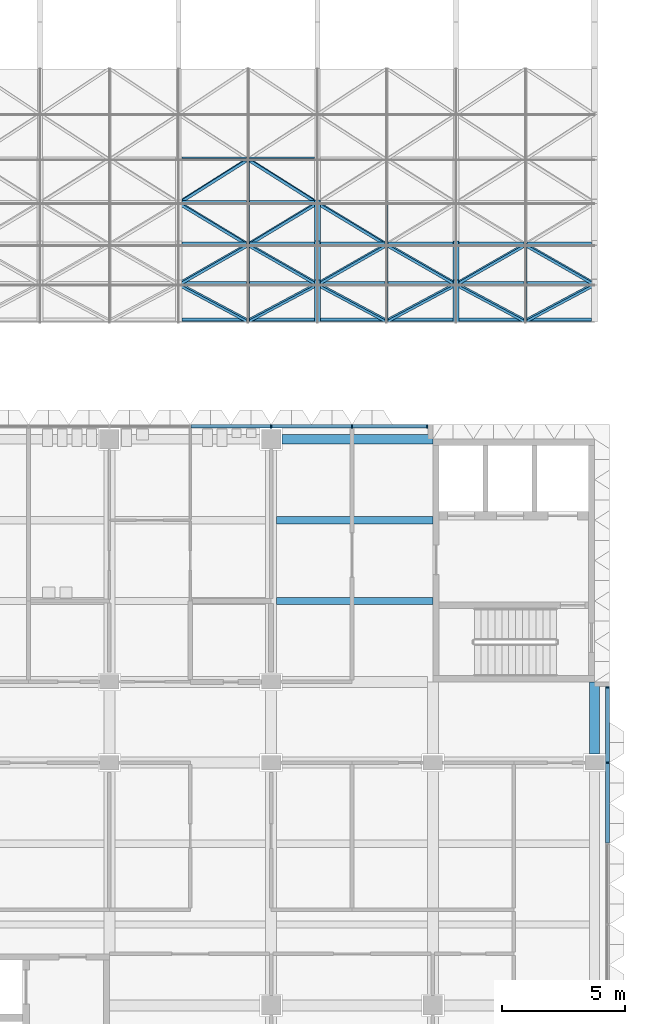
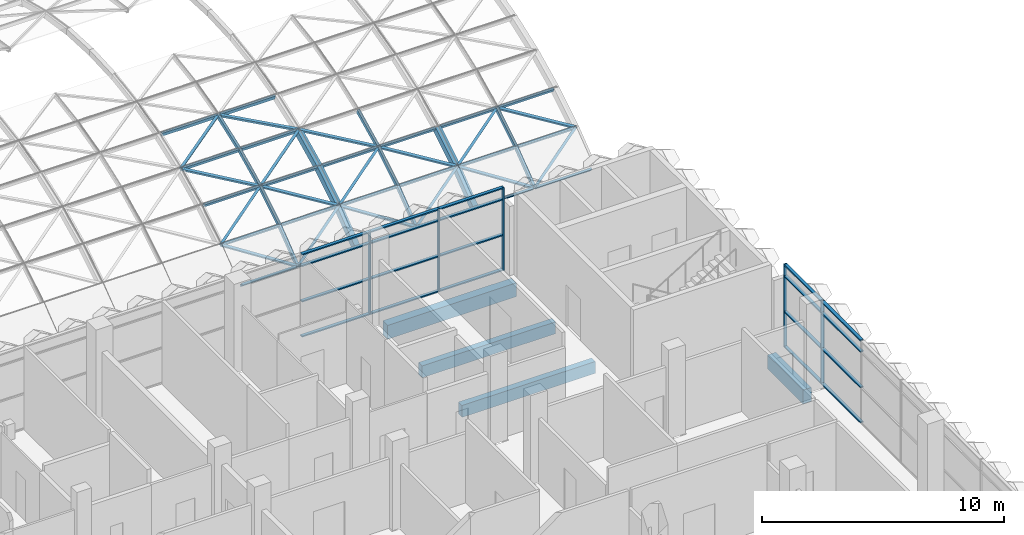
# One storey, part 15 of 85: 78 members, 4 beams, 2 elements without a shape of their own.
"""IFC4 building model written with IfcOpenShell, lengths in metres."""

import ifcopenshell
import ifcopenshell.guid

model = None  # the IFC model being written
_history = None  # IfcOwnerHistory: only IFC2X3 demands one
_inside = {}  # id of a spatial element -> (the spatial element, [elements in it])
_under = {}  # id of a project, library or spatial element -> (it, [spatial elements below it])
_declared = {}  # id of a project -> (the project, [libraries it declares])
_typed = {}  # id of a type object -> (the type object, [elements of that type])
_made_of = {}  # id of a material, layer set ... -> (it, [elements and type objects made of it])


def new_model(schema):
    """Start an empty IFC model of exactly this schema.

    Asked for "IFC4X3", IfcOpenShell would pick the latest addendum, in which some entities
    have other attributes; the version numbers below select the first issue.
    IFC2X3 requires an IfcOwnerHistory on every rooted entity: one is made here for all.
    """
    global model, _history
    if schema == "IFC4X3":
        model = ifcopenshell.file(schema_version=(4, 3, 0, 0))
    else:
        model = ifcopenshell.file(schema=schema)
    _inside.clear()
    _under.clear()
    _declared.clear()
    _typed.clear()
    _made_of.clear()
    _history = None
    if model.schema == "IFC2X3":
        org = make("IfcOrganization", Name="unknown")
        user = make(
            "IfcPersonAndOrganization",
            ThePerson=make("IfcPerson", FamilyName="unknown"),
            TheOrganization=org,
        )
        app = make(
            "IfcApplication",
            ApplicationDeveloper=org,
            Version="unknown",
            ApplicationFullName="unknown",
            ApplicationIdentifier="unknown",
        )
        _history = make(
            "IfcOwnerHistory",
            OwningUser=user,
            OwningApplication=app,
            ChangeAction="ADDED",
            CreationDate=0,
        )
    return model


def make(cls, **values):
    """One entity of the class cls with the attributes given. An attribute that is None is left unset."""
    return model.create_entity(
        cls, **{name: value for name, value in values.items() if value is not None}
    )


def rooted(cls, **values):
    """An entity with a GlobalId (a new one), such as an element, a storey or a relation."""
    return make(cls, GlobalId=ifcopenshell.guid.new(), OwnerHistory=_history, **values)


def si_unit(unit_type, name, prefix=None):
    """IfcSIUnit, for example si_unit("LENGTHUNIT", "METRE", prefix="MILLI")."""
    return make("IfcSIUnit", UnitType=unit_type, Prefix=prefix, Name=name)


def assignment(units):
    """IfcUnitAssignment: the units of a project."""
    return None if units is None else make("IfcUnitAssignment", Units=units)


def point(xyz):
    """IfcCartesianPoint."""
    return None if xyz is None else make("IfcCartesianPoint", Coordinates=xyz)


def direction(xyz):
    """IfcDirection."""
    return None if xyz is None else make("IfcDirection", DirectionRatios=xyz)


def frame(location, z_axis=None, x_axis=None):
    """IfcAxis2Placement3D, a coordinate frame: its origin and axes. An axis left out is left unset."""
    return make(
        "IfcAxis2Placement3D",
        Location=point(location),
        Axis=direction(z_axis),
        RefDirection=direction(x_axis),
    )


def frame_2d(location, x_axis=None):
    """IfcAxis2Placement2D, a coordinate frame in the plane: its origin and x axis."""
    return make(
        "IfcAxis2Placement2D", Location=point(location), RefDirection=direction(x_axis)
    )


def origin():
    """The frame at (0, 0, 0) with its axes left unset."""
    return frame((0.0, 0.0, 0.0))


def origin_2d():
    """The frame at (0, 0) in the plane with its x axis left unset."""
    return frame_2d((0.0, 0.0))


def place(relative_to, where):
    """IfcLocalPlacement: puts the frame where relative to a parent placement (None: the world)."""
    return make(
        "IfcLocalPlacement", PlacementRelTo=relative_to, RelativePlacement=where
    )


def context(
    kind, dimensions, precision=None, world=None, true_north=None, identifier=None
):
    """IfcGeometricRepresentationContext, for example the 3D "Model" context."""
    return make(
        "IfcGeometricRepresentationContext",
        ContextIdentifier=identifier,
        ContextType=kind,
        CoordinateSpaceDimension=dimensions,
        Precision=precision,
        WorldCoordinateSystem=world,
        TrueNorth=true_north,
    )


def subcontext(parent, identifier, kind, view, scale=None):
    """IfcGeometricRepresentationSubContext, for example "Body" below "Model"."""
    return make(
        "IfcGeometricRepresentationSubContext",
        ContextIdentifier=identifier,
        ContextType=kind,
        ParentContext=parent,
        TargetScale=scale,
        TargetView=view,
    )


def project(units=None, contexts=None):
    """IfcProject with its units and contexts."""
    return rooted(
        "IfcProject",
        Name="project",
        RepresentationContexts=contexts,
        UnitsInContext=assignment(units),
    )


def spatial(cls, under=None, at=None, **own):
    """A site, building, storey or space (cls), placed at a placement, below another one or the project."""
    s = rooted(cls, ObjectPlacement=at, **own)
    if under is not None:
        _under.setdefault(under.id(), (under, []))[1].append(s)
    return s


def profile(cls, at=None, kind="AREA", **sizes):
    """A parametric profile (cls). Its sizes go by their IFC names, for example OverallWidth=200.0."""
    return make(cls, ProfileType=kind, Position=at, **sizes)


def rectangle(**sizes):
    """IfcRectangleProfileDef."""
    return profile("IfcRectangleProfileDef", **sizes)


def hollow_rectangle(**sizes):
    """IfcRectangleHollowProfileDef."""
    return profile("IfcRectangleHollowProfileDef", **sizes)


def extrude(swept, where, along, depth):
    """IfcExtrudedAreaSolid: the profile swept, set in the frame where, extruded along a direction by depth."""
    return make(
        "IfcExtrudedAreaSolid",
        SweptArea=swept,
        Position=where,
        ExtrudedDirection=direction(along),
        Depth=depth,
    )


def shape(context_of_items, identifier, shape_type, items):
    """IfcShapeRepresentation: the items that make up one representation, for example the "Body"."""
    return make(
        "IfcShapeRepresentation",
        ContextOfItems=context_of_items,
        RepresentationIdentifier=identifier,
        RepresentationType=shape_type,
        Items=items,
    )


def material(Name=None, Category=None):
    """IfcMaterial."""
    return make("IfcMaterial", Name=Name, Category=Category)


def material_profile(
    of_material, cross_section, Name=None, Category=None, Priority=None
):
    """IfcMaterialProfile: a cross section and its material."""
    return make(
        "IfcMaterialProfile",
        Name=Name,
        Material=of_material,
        Profile=cross_section,
        Priority=Priority,
        Category=Category,
    )


def profile_set(profiles, Name=None, composite=None):
    """IfcMaterialProfileSet."""
    return make(
        "IfcMaterialProfileSet",
        Name=Name,
        MaterialProfiles=profiles,
        CompositeProfile=composite,
    )


def made_of(thing, what):
    """Note that an element or type object is made of a material, layer set ...; save() writes the relation."""
    if what is not None:
        _made_of.setdefault(what.id(), (what, []))[1].append(thing)
    return thing


def type_object(cls, material=None, **own):
    """A type object (cls), such as IfcWallType, which elements share."""
    return made_of(rooted(cls, **own), material)


def element(
    cls,
    number,
    at=None,
    inside=None,
    cuts=None,
    type_object=None,
    material=None,
    context=None,
    identifier="Body",
    shape_type=None,
    held_by="IfcProductDefinitionShape",
    body=None,
    shapes=None,
    **own,
):
    """One element of the class cls, such as IfcWall. Its Tag is "e" and its number.

    at: its placement. inside: the storey or other place that contains it. cuts: it is an
    opening in that element (IfcRelVoidsElement). A single representation is given by context,
    identifier, shape_type and body (its items); several are given by shapes. held_by: the class
    of the entity that holds the representations. save() writes the other relations.
    """
    e = rooted(cls, Tag="e%d" % number, ObjectPlacement=at, **own)
    if body is not None:
        shapes = [shape(context, identifier, shape_type, body)]
    if shapes is not None:
        e.Representation = make(held_by, Representations=shapes)
    if inside is not None:
        _inside.setdefault(inside.id(), (inside, []))[1].append(e)
    if cuts is not None:
        rooted(
            "IfcRelVoidsElement", RelatingBuildingElement=cuts, RelatedOpeningElement=e
        )
    if type_object is not None:
        _typed.setdefault(type_object.id(), (type_object, []))[1].append(e)
    return made_of(e, material)


def aggregate(whole, parts):
    """IfcRelAggregates: a whole, such as a stair, and the parts it consists of."""
    return rooted("IfcRelAggregates", RelatingObject=whole, RelatedObjects=parts)


def save(model, path):
    """Write the relations noted so far, then the file.

    IfcRelAggregates (storeys below a building ...), IfcRelContainedInSpatialStructure (elements
    in a storey), IfcRelDefinesByType, IfcRelAssociatesMaterial and IfcRelDeclares: one each for
    every whole, place, type object, material and project.
    """
    for whole, parts in _under.values():
        aggregate(whole, parts)
    for where, things in _inside.values():
        rooted(
            "IfcRelContainedInSpatialStructure",
            RelatedElements=things,
            RelatingStructure=where,
        )
    for kind, things in _typed.values():
        rooted("IfcRelDefinesByType", RelatedObjects=things, RelatingType=kind)
    for what, things in _made_of.values():
        rooted("IfcRelAssociatesMaterial", RelatedObjects=things, RelatingMaterial=what)
    for by, libraries in _declared.values():
        rooted("IfcRelDeclares", RelatingContext=by, RelatedDefinitions=libraries)
    model.write(path)


model = new_model("IFC4")

# Units and contexts
model_context = context("Model", 3, precision=1e-05, world=origin(), true_north=direction((0.0, 1.0)))
body_context = subcontext(model_context, "Body", "Model", "MODEL_VIEW")
ifc_project = project(units=[si_unit("LENGTHUNIT", "METRE"), si_unit("AREAUNIT", "SQUARE_METRE"), si_unit("VOLUMEUNIT", "CUBIC_METRE"), si_unit("PLANEANGLEUNIT", "RADIAN"), si_unit("MASSUNIT", "GRAM", prefix="KILO")], contexts=[model_context])

# Site, building, storey
site_placement = place(None, origin())
site = spatial("IfcSite", under=ifc_project, at=site_placement, CompositionType="ELEMENT")
building_placement = place(site_placement, origin())
building = spatial("IfcBuilding", under=site, at=building_placement, Name="Lantern Court Research Institute", CompositionType="ELEMENT")
storey_placement = place(building_placement, frame((0.0, 0.0, 18.89990234375)))
storey = spatial("IfcBuildingStorey", under=building, at=storey_placement, Name="L04", CompositionType="ELEMENT", Elevation=18.89990234375)

# Members
ifc_material_1 = material(Name="Structural steel S355", Category="steel")
ifc_material_profile_1 = material_profile(ifc_material_1, hollow_rectangle(XDim=0.1201171875, YDim=0.1201171875, WallThickness=0.008056640625, at=origin_2d()), Name="Gridshell haunch diagonal RHS 120 x 120 x 8")
ifc_profile_set_1 = profile_set([ifc_material_profile_1], Name="Structural steel S355")
member_type_1 = type_object("IfcMemberType", Name="Gridshell haunch diagonal RHS 120 x 120 x 8", PredefinedType="BRACE", material=ifc_profile_set_1)
for number, where, z_axis, x_axis, name in (
    (1, (65.05712890625, 27.9150390625, 0.148193359375), (-0.82977993963, 0.442749834869, 0.339761439117), (-0.558090719968, -0.658279580966, -0.505175951099), "Gridshell diagonal"),
    (2, (62.228515625, 29.419189453125, 1.302978515625), (0.82977711353, 0.474690377048, 0.293494442538), (-0.558094919699, 0.705724175305, 0.436444096072), "Gridshell diagonal"),
    (3, (65.05712890625, 31.031982421875, 2.300537109375), (-0.829773300042, 0.501760032806, 0.244362722229), (-0.558100591295, -0.746025342522, -0.363276641571), "Gridshell diagonal"),
    (4, (62.228515625, 32.73681640625, 3.131103515625), (0.829762838758, 0.523811962945, 0.192651651671), (-0.558116144955, 0.778754373318, 0.286440211525), "Gridshell diagonal"),
    (5, (65.05712890625, 27.9150390625, 0.148193359375), (0.82977993963, 0.442749834869, 0.339761439117), (-0.558090719968, 0.658279580966, 0.505175951099), "Gridshell diagonal"),
    (6, (67.8857421875, 29.419189453125, 1.302978515625), (-0.82977711353, 0.474690377048, 0.293494442538), (-0.558094919699, -0.705724175305, -0.436444096072), "Gridshell diagonal"),
    (7, (65.05712890625, 31.031982421875, 2.300537109375), (0.829773300042, 0.501760032806, 0.244362722229), (-0.558100591295, 0.746025342522, 0.363276641571), "Gridshell diagonal"),
    (8, (67.8857421875, 32.73681640625, 3.131103515625), (-0.829762838758, 0.523811962945, 0.192651651671), (-0.558116144955, -0.778754373318, -0.286440211525), "Gridshell diagonal"),
    (9, (70.71435546875, 27.9150390625, 0.148193359375), (-0.82977993963, 0.442749834869, 0.339761439117), (-0.558090719968, -0.658279580966, -0.505175951099), "Gridshell diagonal"),
    (10, (67.8857421875, 29.419189453125, 1.302978515625), (0.82977711353, 0.474690377048, 0.293494442538), (-0.558094919699, 0.705724175305, 0.436444096072), "Gridshell diagonal"),
    (11, (70.71435546875, 31.031982421875, 2.300537109375), (-0.829773300042, 0.501760032806, 0.244362722229), (-0.558100591295, -0.746025342522, -0.363276641571), "Gridshell diagonal"),
    (12, (70.71435546875, 27.9150390625, 0.148193359375), (0.82977993963, 0.442749834869, 0.339761439117), (-0.558090719968, 0.658279580966, 0.505175951099), "Gridshell diagonal"),
    (13, (73.54296875, 29.419189453125, 1.302978515625), (-0.82977711353, 0.474690377048, 0.293494442538), (-0.558094919699, -0.705724175305, -0.436444096072), "Gridshell diagonal"),
):
    element("IfcMember", number, at=place(storey_placement, frame(where, z_axis=z_axis, x_axis=x_axis)), inside=storey, type_object=member_type_1, Name=name, PredefinedType="BRACE", context=body_context, shape_type="SweptSolid", body=[
        extrude(hollow_rectangle(XDim=0.1201171875, YDim=0.1201171875, WallThickness=0.008056640625, at=origin_2d()), origin(), (0.0, 0.0, 1.0), 3.408935546875),
    ])
for number, where, z_axis, x_axis, name in (
    (14, (76.371337890625, 27.9150390625, 0.148193359375), (-0.829757630752, 0.442776147891, 0.339781631445), (-0.558123887656, -0.658254466927, -0.505172032874), "Gridshell diagonal"),
    (15, (73.54296875, 29.419189453125, 1.302978515625), (0.829754804392, 0.474718588132, 0.293511885058), (-0.55812808698, 0.705699457062, 0.436441651113), "Gridshell diagonal"),
):
    element("IfcMember", number, at=place(storey_placement, frame(where, z_axis=z_axis, x_axis=x_axis)), inside=storey, type_object=member_type_1, Name=name, PredefinedType="BRACE", context=body_context, shape_type="SweptSolid", body=[
        extrude(hollow_rectangle(XDim=0.1201171875, YDim=0.1201171875, WallThickness=0.008056640625, at=origin_2d()), origin(), (0.0, 0.0, 1.0), 3.40869140625),
    ])
for number, where, z_axis, x_axis, name in (
    (16, (76.371337890625, 27.9150390625, 0.148193359375), (0.82977993963, 0.442749834869, 0.339761439117), (-0.558090719968, 0.658279580966, 0.505175951099), "Gridshell diagonal"),
    (17, (79.199951171875, 29.419189453125, 1.302978515625), (-0.82977711353, 0.474690377048, 0.293494442538), (-0.558094919699, -0.705724175305, -0.436444096072), "Gridshell diagonal"),
):
    element("IfcMember", number, at=place(storey_placement, frame(where, z_axis=z_axis, x_axis=x_axis)), inside=storey, type_object=member_type_1, Name=name, PredefinedType="BRACE", context=body_context, shape_type="SweptSolid", body=[
        extrude(hollow_rectangle(XDim=0.1201171875, YDim=0.1201171875, WallThickness=0.008056640625, at=origin_2d()), origin(), (0.0, 0.0, 1.0), 3.408935546875),
    ])
ifc_material_2 = material(Name="Structural steel S355", Category="steel")
ifc_material_profile_2 = material_profile(ifc_material_2, hollow_rectangle(XDim=0.25, YDim=0.35009765625, WallThickness=0.01611328125, at=origin_2d()), Name="Gridshell haunch rib RHS 350 x 250 x 16")
ifc_profile_set_2 = profile_set([ifc_material_profile_2], Name="Structural steel S355")
member_type_2 = type_object("IfcMemberType", Name="Gridshell haunch rib RHS 350 x 250 x 16", PredefinedType="RAFTER", material=ifc_profile_set_2)
member_1_placement = place(storey_placement, frame((67.8857421875, 27.985107421875, 0.056884765625), z_axis=(0.0, 0.793329505358, 0.608792490039), x_axis=(-1.0, 0.0, 0.0)))
element("IfcMember", 18, at=member_1_placement, inside=storey, type_object=member_type_2, Name="Gridshell rib", PredefinedType="RAFTER", context=body_context, shape_type="SweptSolid", body=[
    extrude(hollow_rectangle(XDim=0.25, YDim=0.35009765625, WallThickness=0.01611328125, at=origin_2d()), origin(), (0.0, 0.0, 1.0), 1.90234375),
])
member_2_placement = place(storey_placement, frame((67.8857421875, 29.479736328125, 1.205078125), z_axis=(0.0, 0.850497510265, 0.525979072809), x_axis=(-1.0, 0.0, 0.0)))
element("IfcMember", 19, at=member_2_placement, inside=storey, type_object=member_type_2, Name="Gridshell rib", PredefinedType="RAFTER", context=body_context, shape_type="SweptSolid", body=[
    extrude(hollow_rectangle(XDim=0.25, YDim=0.35009765625, WallThickness=0.01611328125, at=origin_2d()), origin(), (0.0, 0.0, 1.0), 1.902587890625),
])
for number, where, z_axis, x_axis, name in (
    (20, (67.8857421875, 31.082275390625, 2.197265625), (0.0, 0.899099966644, 0.437743360865), (-1.0, 0.0, 0.0), "Gridshell rib"),
    (21, (73.54296875, 27.985107421875, 0.056884765625), (0.0, 0.793329505358, 0.608792490039), (-1.0, 0.0, 0.0), "Gridshell rib"),
):
    element("IfcMember", number, at=place(storey_placement, frame(where, z_axis=z_axis, x_axis=x_axis)), inside=storey, type_object=member_type_2, Name=name, PredefinedType="RAFTER", context=body_context, shape_type="SweptSolid", body=[
        extrude(hollow_rectangle(XDim=0.25, YDim=0.35009765625, WallThickness=0.01611328125, at=origin_2d()), origin(), (0.0, 0.0, 1.0), 1.90234375),
    ])
member_3_placement = place(storey_placement, frame((73.54296875, 29.479736328125, 1.205078125), z_axis=(0.0, 0.850497510265, 0.525979072809), x_axis=(-1.0, 0.0, 0.0)))
element("IfcMember", 22, at=member_3_placement, inside=storey, type_object=member_type_2, Name="Gridshell rib", PredefinedType="RAFTER", context=body_context, shape_type="SweptSolid", body=[
    extrude(hollow_rectangle(XDim=0.25, YDim=0.35009765625, WallThickness=0.01611328125, at=origin_2d()), origin(), (0.0, 0.0, 1.0), 1.902587890625),
])
ifc_material_3 = material(Name="Structural steel S355", Category="steel")
ifc_material_profile_3 = material_profile(ifc_material_3, hollow_rectangle(XDim=0.10009765625, YDim=0.199951171875, WallThickness=0.008056640625, at=origin_2d()), Name="Gridshell purlin RHS 200 x 100 x 8")
ifc_profile_set_3 = profile_set([ifc_material_profile_3], Name="Structural steel S355")
member_type_3 = type_object("IfcMemberType", Name="Gridshell purlin RHS 200 x 100 x 8", PredefinedType="PURLIN", material=ifc_profile_set_3)
for number, where, z_axis, x_axis, name in (
    (23, (62.353515625, 27.943359375, 0.11962890625), (1.0, 0.0, 0.0), (0.0, 0.761672913152, 0.647961706717), "Gridshell purlin"),
    (24, (65.1171875, 27.943359375, 0.11962890625), (1.0, 0.0, 0.0), (0.0, 0.761672913152, 0.647961706717), "Gridshell purlin"),
    (25, (68.0107421875, 27.943359375, 0.11962890625), (1.0, 0.0, 0.0), (0.0, 0.761672913152, 0.647961706717), "Gridshell purlin"),
):
    element("IfcMember", number, at=place(storey_placement, frame(where, z_axis=z_axis, x_axis=x_axis)), inside=storey, type_object=member_type_3, Name=name, PredefinedType="PURLIN", context=body_context, shape_type="SweptSolid", body=[
        extrude(hollow_rectangle(XDim=0.10009765625, YDim=0.199951171875, WallThickness=0.008056640625, at=origin_2d()), origin(), (0.0, 0.0, 1.0), 2.6435546875),
    ])
member_4_placement = place(storey_placement, frame((70.774169921875, 27.943359375, 0.11962890625), z_axis=(1.0, 0.0, 0.0), x_axis=(0.0, 0.761672913152, 0.647961706717)))
element("IfcMember", 26, at=member_4_placement, inside=storey, type_object=member_type_3, Name="Gridshell purlin", PredefinedType="PURLIN", context=body_context, shape_type="SweptSolid", body=[
    extrude(hollow_rectangle(XDim=0.10009765625, YDim=0.199951171875, WallThickness=0.008056640625, at=origin_2d()), origin(), (0.0, 0.0, 1.0), 2.643798828125),
])
for number, where, z_axis, x_axis, name in (
    (27, (73.66796875, 27.943359375, 0.11962890625), (1.0, 0.0, 0.0), (0.0, 0.761672913152, 0.647961706717), "Gridshell purlin"),
    (28, (76.431396484375, 27.943359375, 0.11962890625), (1.0, 0.0, 0.0), (0.0, 0.761672913152, 0.647961706717), "Gridshell purlin"),
    (29, (62.353515625, 29.444580078125, 1.271728515625), (1.0, 0.0, 0.0), (0.0, 0.822954255966, 0.568107641726), "Gridshell purlin"),
    (30, (65.1171875, 29.444580078125, 1.271728515625), (1.0, 0.0, 0.0), (0.0, 0.822954255966, 0.568107641726), "Gridshell purlin"),
    (31, (68.0107421875, 29.444580078125, 1.271728515625), (1.0, 0.0, 0.0), (0.0, 0.822954255966, 0.568107641726), "Gridshell purlin"),
):
    element("IfcMember", number, at=place(storey_placement, frame(where, z_axis=z_axis, x_axis=x_axis)), inside=storey, type_object=member_type_3, Name=name, PredefinedType="PURLIN", context=body_context, shape_type="SweptSolid", body=[
        extrude(hollow_rectangle(XDim=0.10009765625, YDim=0.199951171875, WallThickness=0.008056640625, at=origin_2d()), origin(), (0.0, 0.0, 1.0), 2.6435546875),
    ])
member_5_placement = place(storey_placement, frame((70.774169921875, 29.444580078125, 1.271728515625), z_axis=(1.0, 0.0, 0.0), x_axis=(0.0, 0.822954255966, 0.568107641726)))
element("IfcMember", 32, at=member_5_placement, inside=storey, type_object=member_type_3, Name="Gridshell purlin", PredefinedType="PURLIN", context=body_context, shape_type="SweptSolid", body=[
    extrude(hollow_rectangle(XDim=0.10009765625, YDim=0.199951171875, WallThickness=0.008056640625, at=origin_2d()), origin(), (0.0, 0.0, 1.0), 2.643798828125),
])
for number, where, z_axis, x_axis, name in (
    (33, (73.66796875, 29.444580078125, 1.271728515625), (1.0, 0.0, 0.0), (0.0, 0.822954255966, 0.568107641726), "Gridshell purlin"),
    (34, (76.431396484375, 29.444580078125, 1.271728515625), (1.0, 0.0, 0.0), (0.0, 0.822954255966, 0.568107641726), "Gridshell purlin"),
    (35, (62.353515625, 31.053955078125, 2.266845703125), (1.0, 0.0, 0.0), (0.0, 0.875897373228, 0.482497452399), "Gridshell purlin"),
    (36, (65.1171875, 31.053955078125, 2.266845703125), (1.0, 0.0, 0.0), (0.0, 0.875897373228, 0.482497452399), "Gridshell purlin"),
    (37, (68.0107421875, 31.053955078125, 2.266845703125), (1.0, 0.0, 0.0), (0.0, 0.875897373228, 0.482497452399), "Gridshell purlin"),
):
    element("IfcMember", number, at=place(storey_placement, frame(where, z_axis=z_axis, x_axis=x_axis)), inside=storey, type_object=member_type_3, Name=name, PredefinedType="PURLIN", context=body_context, shape_type="SweptSolid", body=[
        extrude(hollow_rectangle(XDim=0.10009765625, YDim=0.199951171875, WallThickness=0.008056640625, at=origin_2d()), origin(), (0.0, 0.0, 1.0), 2.6435546875),
    ])
member_6_placement = place(storey_placement, frame((70.774169921875, 31.053955078125, 2.266845703125), z_axis=(1.0, 0.0, 0.0), x_axis=(0.0, 0.875897373228, 0.482497452399)))
element("IfcMember", 38, at=member_6_placement, inside=storey, type_object=member_type_3, Name="Gridshell purlin", PredefinedType="PURLIN", context=body_context, shape_type="SweptSolid", body=[
    extrude(hollow_rectangle(XDim=0.10009765625, YDim=0.199951171875, WallThickness=0.008056640625, at=origin_2d()), origin(), (0.0, 0.0, 1.0), 2.643798828125),
])
for number, where, z_axis, x_axis, name in (
    (39, (73.66796875, 31.053955078125, 2.266845703125), (1.0, 0.0, 0.0), (0.0, 0.875897373228, 0.482497452399), "Gridshell purlin"),
    (40, (76.431396484375, 31.053955078125, 2.266845703125), (1.0, 0.0, 0.0), (0.0, 0.875897373228, 0.482497452399), "Gridshell purlin"),
    (41, (62.353515625, 32.75537109375, 3.095458984375), (1.0, 0.0, 0.0), (0.0, 0.919965822984, 0.391998577219), "Gridshell purlin"),
    (42, (65.1171875, 32.75537109375, 3.095458984375), (1.0, 0.0, 0.0), (0.0, 0.919965822984, 0.391998577219), "Gridshell purlin"),
    (43, (62.353515625, 34.531494140625, 3.748779296875), (1.0, 0.0, 0.0), (0.0, 0.954713115517, 0.29752792652), "Gridshell purlin"),
    (44, (65.1171875, 34.531494140625, 3.748779296875), (1.0, 0.0, 0.0), (0.0, 0.954713115517, 0.29752792652), "Gridshell purlin"),
):
    element("IfcMember", number, at=place(storey_placement, frame(where, z_axis=z_axis, x_axis=x_axis)), inside=storey, type_object=member_type_3, Name=name, PredefinedType="PURLIN", context=body_context, shape_type="SweptSolid", body=[
        extrude(hollow_rectangle(XDim=0.10009765625, YDim=0.199951171875, WallThickness=0.008056640625, at=origin_2d()), origin(), (0.0, 0.0, 1.0), 2.6435546875),
    ])
ifc_material_4 = material(Name="Structural steel S355", Category="steel")
ifc_material_profile_4 = material_profile(ifc_material_4, hollow_rectangle(XDim=0.1201171875, YDim=0.199951171875, WallThickness=0.008056640625, at=origin_2d()), Name="Gridshell secondary rib RHS 200 x 120 x 8")
ifc_profile_set_4 = profile_set([ifc_material_profile_4], Name="Structural steel S355")
member_type_4 = type_object("IfcMemberType", Name="Gridshell secondary rib RHS 200 x 120 x 8", PredefinedType="RAFTER", material=ifc_profile_set_4)
for number, where, z_axis, x_axis, name in (
    (45, (65.05712890625, 27.939453125, 0.116455078125), (0.0, 0.793329505358, 0.608792490039), (-1.0, 0.0, 0.0), "Gridshell secondary rib"),
    (46, (65.05712890625, 29.4404296875, 1.268798828125), (0.0, 0.850462004525, 0.526036480541), (-1.0, 0.0, 0.0), "Gridshell secondary rib"),
):
    element("IfcMember", number, at=place(storey_placement, frame(where, z_axis=z_axis, x_axis=x_axis)), inside=storey, type_object=member_type_4, Name=name, PredefinedType="RAFTER", context=body_context, shape_type="SweptSolid", body=[
        extrude(hollow_rectangle(XDim=0.1201171875, YDim=0.199951171875, WallThickness=0.008056640625, at=origin_2d()), origin(), (0.0, 0.0, 1.0), 1.90234375),
    ])
member_7_placement = place(storey_placement, frame((65.05712890625, 31.049560546875, 2.2646484375), z_axis=(0.0, 0.899049454889, 0.437847093931), x_axis=(-1.0, 0.0, 0.0)))
element("IfcMember", 47, at=member_7_placement, inside=storey, type_object=member_type_4, Name="Gridshell secondary rib", PredefinedType="RAFTER", context=body_context, shape_type="SweptSolid", body=[
    extrude(hollow_rectangle(XDim=0.1201171875, YDim=0.199951171875, WallThickness=0.008056640625, at=origin_2d()), origin(), (0.0, 0.0, 1.0), 1.902587890625),
])
for number, where, z_axis, x_axis, name in (
    (48, (65.05712890625, 32.750732421875, 3.093505859375), (0.0, 0.938520472327, 0.345223584105), (-1.0, 0.0, 0.0), "Gridshell secondary rib"),
    (49, (70.71435546875, 27.939453125, 0.116455078125), (0.0, 0.793329505358, 0.608792490039), (-1.0, 0.0, 0.0), "Gridshell secondary rib"),
    (50, (70.71435546875, 29.4404296875, 1.268798828125), (0.0, 0.850462004525, 0.526036480541), (-1.0, 0.0, 0.0), "Gridshell secondary rib"),
):
    element("IfcMember", number, at=place(storey_placement, frame(where, z_axis=z_axis, x_axis=x_axis)), inside=storey, type_object=member_type_4, Name=name, PredefinedType="RAFTER", context=body_context, shape_type="SweptSolid", body=[
        extrude(hollow_rectangle(XDim=0.1201171875, YDim=0.199951171875, WallThickness=0.008056640625, at=origin_2d()), origin(), (0.0, 0.0, 1.0), 1.90234375),
    ])
member_8_placement = place(storey_placement, frame((70.71435546875, 31.049560546875, 2.2646484375), z_axis=(0.0, 0.899049454889, 0.437847093931), x_axis=(-1.0, 0.0, 0.0)))
element("IfcMember", 51, at=member_8_placement, inside=storey, type_object=member_type_4, Name="Gridshell secondary rib", PredefinedType="RAFTER", context=body_context, shape_type="SweptSolid", body=[
    extrude(hollow_rectangle(XDim=0.1201171875, YDim=0.199951171875, WallThickness=0.008056640625, at=origin_2d()), origin(), (0.0, 0.0, 1.0), 1.902587890625),
])
for number, where, z_axis, x_axis, name in (
    (52, (76.371337890625, 27.939453125, 0.116455078125), (0.0, 0.793329505358, 0.608792490039), (-1.0, 0.0, 0.0), "Gridshell secondary rib"),
    (53, (76.371337890625, 29.4404296875, 1.268798828125), (0.0, 0.850462004525, 0.526036480541), (-1.0, 0.0, 0.0), "Gridshell secondary rib"),
):
    element("IfcMember", number, at=place(storey_placement, frame(where, z_axis=z_axis, x_axis=x_axis)), inside=storey, type_object=member_type_4, Name=name, PredefinedType="RAFTER", context=body_context, shape_type="SweptSolid", body=[
        extrude(hollow_rectangle(XDim=0.1201171875, YDim=0.199951171875, WallThickness=0.008056640625, at=origin_2d()), origin(), (0.0, 0.0, 1.0), 1.90234375),
    ])

# Curtain wall, members
ifc_material_5 = material(Name="Aluminium alloy 6063-T6", Category="aluminium")
curtain_wall_type_1 = type_object("IfcCurtainWallType", Name="Curtain wall 21250 x 4200 x 150 aluminium frame", PredefinedType="NOTDEFINED", material=ifc_material_5)
curtain_wall_1_placement = place(storey_placement, origin())
curtain_wall_1 = element("IfcCurtainWall", 54, at=curtain_wall_1_placement, inside=storey, type_object=curtain_wall_type_1, Name="Curtain wall CW065", PredefinedType="NOTDEFINED")
ifc_material_6 = material(Name="Aluminium alloy 6063-T6", Category="aluminium")
ifc_material_profile_5 = material_profile(ifc_material_6, rectangle(XDim=0.14990234375, YDim=0.06005859375, at=origin_2d()), Name="Mullion 150 x 60")
ifc_profile_set_5 = profile_set([ifc_material_profile_5], Name="Aluminium alloy 6063-T6")
member_type_5 = type_object("IfcMemberType", Name="Mullion 150 x 60 aluminium", PredefinedType="MULLION", material=ifc_profile_set_5)
member_9_placement = place(storey_placement, frame((79.72509765625, 9.89990234375, 0.0), z_axis=(0.0, 0.0, 1.0), x_axis=(1.0, 0.0, 0.0)))
member_9 = element("IfcMember", 55, at=member_9_placement, type_object=member_type_5, Name="CW065 mullion 7", PredefinedType="MULLION", context=body_context, shape_type="SweptSolid", body=[
    extrude(rectangle(XDim=0.14990234375, YDim=0.06005859375, at=origin_2d()), origin(), (0.0, 0.0, 1.0), 4.2001953125),
])
member_10_placement = place(storey_placement, frame((79.72509765625, 12.969970703125, 0.0), z_axis=(0.0, 0.0, 1.0), x_axis=(1.0, 0.0, 0.0)))
member_10 = element("IfcMember", 56, at=member_10_placement, type_object=member_type_5, Name="CW065 mullion 8", PredefinedType="MULLION", context=body_context, shape_type="SweptSolid", body=[
    extrude(rectangle(XDim=0.14990234375, YDim=0.06005859375, at=origin_2d()), origin(), (0.0, 0.0, 1.0), 4.2001953125),
])

ifc_material_7 = material(Name="Aluminium alloy 6063-T6", Category="aluminium")
curtain_wall_type_2 = type_object("IfcCurtainWallType", Name="Curtain wall 19600 x 4200 x 150 aluminium frame", PredefinedType="NOTDEFINED", material=ifc_material_7)
curtain_wall_2_placement = place(storey_placement, origin())
curtain_wall_2 = element("IfcCurtainWall", 57, at=curtain_wall_2_placement, inside=storey, type_object=curtain_wall_type_2, Name="Curtain wall CW066", PredefinedType="NOTDEFINED")
member_11_placement = place(storey_placement, frame((66.0, 23.625, 0.0), z_axis=(0.0, 0.0, 1.0), x_axis=(0.0, 1.0, 0.0)))
member_11 = element("IfcMember", 58, at=member_11_placement, type_object=member_type_5, Name="CW066 mullion 5", PredefinedType="MULLION", context=body_context, shape_type="SweptSolid", body=[
    extrude(rectangle(XDim=0.14990234375, YDim=0.06005859375, at=origin_2d()), origin(), (0.0, 0.0, 1.0), 4.2001953125),
])
member_12_placement = place(storey_placement, frame((69.300048828125, 23.625, 0.0), z_axis=(0.0, 0.0, 1.0), x_axis=(0.0, 1.0, 0.0)))
member_12 = element("IfcMember", 59, at=member_12_placement, type_object=member_type_5, Name="CW066 mullion 6", PredefinedType="MULLION", context=body_context, shape_type="SweptSolid", body=[
    extrude(rectangle(XDim=0.14990234375, YDim=0.06005859375, at=origin_2d()), origin(), (0.0, 0.0, 1.0), 4.2001953125),
])
member_13_placement = place(storey_placement, frame((72.3701171875, 23.625, 0.0), z_axis=(0.0, 0.0, 1.0), x_axis=(0.0, 1.0, 0.0)))
member_13 = element("IfcMember", 60, at=member_13_placement, type_object=member_type_5, Name="CW066 mullion 7", PredefinedType="MULLION", context=body_context, shape_type="SweptSolid", body=[
    extrude(rectangle(XDim=0.14990234375, YDim=0.06005859375, at=origin_2d()), origin(), (0.0, 0.0, 1.0), 4.2001953125),
])

# Beams
ifc_material_8 = material(Name="Concrete C40/50", Category="concrete")
ifc_material_profile_6 = material_profile(ifc_material_8, rectangle(XDim=0.39990234375, YDim=0.699951171875, at=origin_2d()), Name="RC beam 400 x 700")
ifc_profile_set_6 = profile_set([ifc_material_profile_6], Name="Concrete C40/50")
beam_type_1 = type_object("IfcBeamType", Name="RC edge beam 400 x 700", PredefinedType="BEAM", material=ifc_profile_set_6)
beam_1_placement = place(storey_placement, frame((79.199951171875, 10.25, -0.64990234375), z_axis=(0.0, 1.0, 0.0), x_axis=(-1.0, 0.0, 0.0)))
element("IfcBeam", 61, at=beam_1_placement, inside=storey, type_object=beam_type_1, Name="Edge beam L04 grid 13/B-C", PredefinedType="BEAM", context=body_context, shape_type="SweptSolid", body=[
    extrude(rectangle(XDim=0.39990234375, YDim=0.699951171875, at=origin_2d()), origin(), (0.0, 0.0, 1.0), 2.949951171875),
])
beam_2_placement = place(storey_placement, frame((66.449951171875, 23.10009765625, -0.64990234375), z_axis=(1.0, 0.0, 0.0), x_axis=(0.0, 1.0, 0.0)))
element("IfcBeam", 62, at=beam_2_placement, inside=storey, type_object=beam_type_1, Name="Edge beam L04 grid D/11-12", PredefinedType="BEAM", context=body_context, shape_type="SweptSolid", body=[
    extrude(rectangle(XDim=0.39990234375, YDim=0.699951171875, at=origin_2d()), origin(), (0.0, 0.0, 1.0), 6.150146484375),
])
ifc_material_9 = material(Name="Concrete C40/50", Category="concrete")
ifc_material_profile_7 = material_profile(ifc_material_9, rectangle(XDim=0.300048828125, YDim=0.60009765625, at=origin_2d()), Name="RC beam 300 x 600")
ifc_profile_set_7 = profile_set([ifc_material_profile_7], Name="Concrete C40/50")
beam_type_2 = type_object("IfcBeamType", Name="RC secondary beam 300 x 600", PredefinedType="BEAM", material=ifc_profile_set_7)
for number, where, z_axis, x_axis, name in (
    (63, (66.22509765625, 16.5, -0.599853515625), (1.0, 0.0, 0.0), (0.0, 1.0, 0.0), "Secondary beam L04 grids 11-12 / C-D, line 1"),
    (64, (66.22509765625, 19.800048828125, -0.599853515625), (1.0, 0.0, 0.0), (0.0, 1.0, 0.0), "Secondary beam L04 grids 11-12 / C-D, line 2"),
):
    element("IfcBeam", number, at=place(storey_placement, frame(where, z_axis=z_axis, x_axis=x_axis)), inside=storey, type_object=beam_type_2, Name=name, PredefinedType="BEAM", context=body_context, shape_type="SweptSolid", body=[
        extrude(rectangle(XDim=0.300048828125, YDim=0.60009765625, at=origin_2d()), origin(), (0.0, 0.0, 1.0), 6.375),
    ])

# Member
ifc_material_10 = material(Name="Aluminium alloy 6063-T6", Category="aluminium")
ifc_material_profile_8 = material_profile(ifc_material_10, rectangle(XDim=0.14990234375, YDim=0.06005859375, at=origin_2d()), Name="Transom 150 x 60")
ifc_profile_set_8 = profile_set([ifc_material_profile_8], Name="Aluminium alloy 6063-T6")
member_type_6 = type_object("IfcMemberType", Name="Transom 150 x 60 aluminium", PredefinedType="USERDEFINED", material=ifc_profile_set_8)
member_14_placement = place(storey_placement, frame((79.72509765625, 9.8701171875, 0.030029296875), z_axis=(0.0, -1.0, 0.0), x_axis=(1.0, 0.0, 0.0)))
member_14 = element("IfcMember", 65, at=member_14_placement, type_object=member_type_6, Name="CW065 transom 6.1", ObjectType="TRANSOM", PredefinedType="USERDEFINED", context=body_context, shape_type="SweptSolid", body=[
    extrude(rectangle(XDim=0.14990234375, YDim=0.06005859375, at=origin_2d()), origin(), (0.0, 0.0, 1.0), 3.240234375),
])

member_15_placement = place(storey_placement, frame((79.72509765625, 9.8701171875, 1.800048828125), z_axis=(0.0, -1.0, 0.0), x_axis=(1.0, 0.0, 0.0)))
member_15 = element("IfcMember", 66, at=member_15_placement, type_object=member_type_6, Name="CW065 transom 6.2", ObjectType="TRANSOM", PredefinedType="USERDEFINED", context=body_context, shape_type="SweptSolid", body=[
    extrude(rectangle(XDim=0.14990234375, YDim=0.06005859375, at=origin_2d()), origin(), (0.0, 0.0, 1.0), 3.240234375),
])

member_16_placement = place(storey_placement, frame((79.72509765625, 9.8701171875, 3.60009765625), z_axis=(0.0, -1.0, 0.0), x_axis=(1.0, 0.0, 0.0)))
member_16 = element("IfcMember", 67, at=member_16_placement, type_object=member_type_6, Name="CW065 transom 6.3", ObjectType="TRANSOM", PredefinedType="USERDEFINED", context=body_context, shape_type="SweptSolid", body=[
    extrude(rectangle(XDim=0.14990234375, YDim=0.06005859375, at=origin_2d()), origin(), (0.0, 0.0, 1.0), 3.240234375),
])

member_17_placement = place(storey_placement, frame((79.72509765625, 9.8701171875, 4.170166015625), z_axis=(0.0, -1.0, 0.0), x_axis=(1.0, 0.0, 0.0)))
member_17 = element("IfcMember", 68, at=member_17_placement, type_object=member_type_6, Name="CW065 transom 6.4", ObjectType="TRANSOM", PredefinedType="USERDEFINED", context=body_context, shape_type="SweptSolid", body=[
    extrude(rectangle(XDim=0.14990234375, YDim=0.06005859375, at=origin_2d()), origin(), (0.0, 0.0, 1.0), 3.240234375),
])

member_18_placement = place(storey_placement, frame((79.72509765625, 12.93994140625, 0.030029296875), z_axis=(0.0, -1.0, 0.0), x_axis=(1.0, 0.0, 0.0)))
member_18 = element("IfcMember", 69, at=member_18_placement, type_object=member_type_6, Name="CW065 transom 7.1", ObjectType="TRANSOM", PredefinedType="USERDEFINED", context=body_context, shape_type="SweptSolid", body=[
    extrude(rectangle(XDim=0.14990234375, YDim=0.06005859375, at=origin_2d()), origin(), (0.0, 0.0, 1.0), 3.010009765625),
])

member_19_placement = place(storey_placement, frame((79.72509765625, 12.93994140625, 1.800048828125), z_axis=(0.0, -1.0, 0.0), x_axis=(1.0, 0.0, 0.0)))
member_19 = element("IfcMember", 70, at=member_19_placement, type_object=member_type_6, Name="CW065 transom 7.2", ObjectType="TRANSOM", PredefinedType="USERDEFINED", context=body_context, shape_type="SweptSolid", body=[
    extrude(rectangle(XDim=0.14990234375, YDim=0.06005859375, at=origin_2d()), origin(), (0.0, 0.0, 1.0), 3.010009765625),
])

member_20_placement = place(storey_placement, frame((79.72509765625, 12.93994140625, 3.60009765625), z_axis=(0.0, -1.0, 0.0), x_axis=(1.0, 0.0, 0.0)))
member_20 = element("IfcMember", 71, at=member_20_placement, type_object=member_type_6, Name="CW065 transom 7.3", ObjectType="TRANSOM", PredefinedType="USERDEFINED", context=body_context, shape_type="SweptSolid", body=[
    extrude(rectangle(XDim=0.14990234375, YDim=0.06005859375, at=origin_2d()), origin(), (0.0, 0.0, 1.0), 3.010009765625),
])

member_21_placement = place(storey_placement, frame((79.72509765625, 12.93994140625, 4.170166015625), z_axis=(0.0, -1.0, 0.0), x_axis=(1.0, 0.0, 0.0)))
member_21 = element("IfcMember", 72, at=member_21_placement, type_object=member_type_6, Name="CW065 transom 7.4", ObjectType="TRANSOM", PredefinedType="USERDEFINED", context=body_context, shape_type="SweptSolid", body=[
    extrude(rectangle(XDim=0.14990234375, YDim=0.06005859375, at=origin_2d()), origin(), (0.0, 0.0, 1.0), 3.010009765625),
])

aggregate(curtain_wall_1, [member_9, member_10, member_14, member_15, member_16, member_17, member_18, member_19, member_20, member_21])

member_22_placement = place(storey_placement, frame((62.72998046875, 23.625, 0.030029296875), z_axis=(1.0, 0.0, 0.0), x_axis=(0.0, 1.0, 0.0)))
member_22 = element("IfcMember", 73, at=member_22_placement, type_object=member_type_6, Name="CW066 transom 4.1", ObjectType="TRANSOM", PredefinedType="USERDEFINED", context=body_context, shape_type="SweptSolid", body=[
    extrude(rectangle(XDim=0.14990234375, YDim=0.06005859375, at=origin_2d()), origin(), (0.0, 0.0, 1.0), 3.239990234375),
])

member_23_placement = place(storey_placement, frame((62.72998046875, 23.625, 1.800048828125), z_axis=(1.0, 0.0, 0.0), x_axis=(0.0, 1.0, 0.0)))
member_23 = element("IfcMember", 74, at=member_23_placement, type_object=member_type_6, Name="CW066 transom 4.2", ObjectType="TRANSOM", PredefinedType="USERDEFINED", context=body_context, shape_type="SweptSolid", body=[
    extrude(rectangle(XDim=0.14990234375, YDim=0.06005859375, at=origin_2d()), origin(), (0.0, 0.0, 1.0), 3.239990234375),
])

member_24_placement = place(storey_placement, frame((62.72998046875, 23.625, 3.60009765625), z_axis=(1.0, 0.0, 0.0), x_axis=(0.0, 1.0, 0.0)))
member_24 = element("IfcMember", 75, at=member_24_placement, type_object=member_type_6, Name="CW066 transom 4.3", ObjectType="TRANSOM", PredefinedType="USERDEFINED", context=body_context, shape_type="SweptSolid", body=[
    extrude(rectangle(XDim=0.14990234375, YDim=0.06005859375, at=origin_2d()), origin(), (0.0, 0.0, 1.0), 3.239990234375),
])

member_25_placement = place(storey_placement, frame((62.72998046875, 23.625, 4.170166015625), z_axis=(1.0, 0.0, 0.0), x_axis=(0.0, 1.0, 0.0)))
member_25 = element("IfcMember", 76, at=member_25_placement, type_object=member_type_6, Name="CW066 transom 4.4", ObjectType="TRANSOM", PredefinedType="USERDEFINED", context=body_context, shape_type="SweptSolid", body=[
    extrude(rectangle(XDim=0.14990234375, YDim=0.06005859375, at=origin_2d()), origin(), (0.0, 0.0, 1.0), 3.239990234375),
])

member_26_placement = place(storey_placement, frame((66.030029296875, 23.625, 0.030029296875), z_axis=(1.0, 0.0, 0.0), x_axis=(0.0, 1.0, 0.0)))
member_26 = element("IfcMember", 77, at=member_26_placement, type_object=member_type_6, Name="CW066 transom 5.1", ObjectType="TRANSOM", PredefinedType="USERDEFINED", context=body_context, shape_type="SweptSolid", body=[
    extrude(rectangle(XDim=0.14990234375, YDim=0.06005859375, at=origin_2d()), origin(), (0.0, 0.0, 1.0), 3.239990234375),
])

member_27_placement = place(storey_placement, frame((66.030029296875, 23.625, 1.800048828125), z_axis=(1.0, 0.0, 0.0), x_axis=(0.0, 1.0, 0.0)))
member_27 = element("IfcMember", 78, at=member_27_placement, type_object=member_type_6, Name="CW066 transom 5.2", ObjectType="TRANSOM", PredefinedType="USERDEFINED", context=body_context, shape_type="SweptSolid", body=[
    extrude(rectangle(XDim=0.14990234375, YDim=0.06005859375, at=origin_2d()), origin(), (0.0, 0.0, 1.0), 3.239990234375),
])

member_28_placement = place(storey_placement, frame((66.030029296875, 23.625, 3.60009765625), z_axis=(1.0, 0.0, 0.0), x_axis=(0.0, 1.0, 0.0)))
member_28 = element("IfcMember", 79, at=member_28_placement, type_object=member_type_6, Name="CW066 transom 5.3", ObjectType="TRANSOM", PredefinedType="USERDEFINED", context=body_context, shape_type="SweptSolid", body=[
    extrude(rectangle(XDim=0.14990234375, YDim=0.06005859375, at=origin_2d()), origin(), (0.0, 0.0, 1.0), 3.239990234375),
])

member_29_placement = place(storey_placement, frame((66.030029296875, 23.625, 4.170166015625), z_axis=(1.0, 0.0, 0.0), x_axis=(0.0, 1.0, 0.0)))
member_29 = element("IfcMember", 80, at=member_29_placement, type_object=member_type_6, Name="CW066 transom 5.4", ObjectType="TRANSOM", PredefinedType="USERDEFINED", context=body_context, shape_type="SweptSolid", body=[
    extrude(rectangle(XDim=0.14990234375, YDim=0.06005859375, at=origin_2d()), origin(), (0.0, 0.0, 1.0), 3.239990234375),
])

member_30_placement = place(storey_placement, frame((69.330078125, 23.625, 0.030029296875), z_axis=(1.0, 0.0, 0.0), x_axis=(0.0, 1.0, 0.0)))
member_30 = element("IfcMember", 81, at=member_30_placement, type_object=member_type_6, Name="CW066 transom 6.1", ObjectType="TRANSOM", PredefinedType="USERDEFINED", context=body_context, shape_type="SweptSolid", body=[
    extrude(rectangle(XDim=0.14990234375, YDim=0.06005859375, at=origin_2d()), origin(), (0.0, 0.0, 1.0), 3.010009765625),
])

member_31_placement = place(storey_placement, frame((69.330078125, 23.625, 1.800048828125), z_axis=(1.0, 0.0, 0.0), x_axis=(0.0, 1.0, 0.0)))
member_31 = element("IfcMember", 82, at=member_31_placement, type_object=member_type_6, Name="CW066 transom 6.2", ObjectType="TRANSOM", PredefinedType="USERDEFINED", context=body_context, shape_type="SweptSolid", body=[
    extrude(rectangle(XDim=0.14990234375, YDim=0.06005859375, at=origin_2d()), origin(), (0.0, 0.0, 1.0), 3.010009765625),
])

member_32_placement = place(storey_placement, frame((69.330078125, 23.625, 3.60009765625), z_axis=(1.0, 0.0, 0.0), x_axis=(0.0, 1.0, 0.0)))
member_32 = element("IfcMember", 83, at=member_32_placement, type_object=member_type_6, Name="CW066 transom 6.3", ObjectType="TRANSOM", PredefinedType="USERDEFINED", context=body_context, shape_type="SweptSolid", body=[
    extrude(rectangle(XDim=0.14990234375, YDim=0.06005859375, at=origin_2d()), origin(), (0.0, 0.0, 1.0), 3.010009765625),
])

member_33_placement = place(storey_placement, frame((69.330078125, 23.625, 4.170166015625), z_axis=(1.0, 0.0, 0.0), x_axis=(0.0, 1.0, 0.0)))
member_33 = element("IfcMember", 84, at=member_33_placement, type_object=member_type_6, Name="CW066 transom 6.4", ObjectType="TRANSOM", PredefinedType="USERDEFINED", context=body_context, shape_type="SweptSolid", body=[
    extrude(rectangle(XDim=0.14990234375, YDim=0.06005859375, at=origin_2d()), origin(), (0.0, 0.0, 1.0), 3.010009765625),
])

aggregate(curtain_wall_2, [member_11, member_12, member_13, member_22, member_23, member_24, member_25, member_26, member_27, member_28, member_29, member_30, member_31, member_32, member_33])

save(model, "model.ifc")
